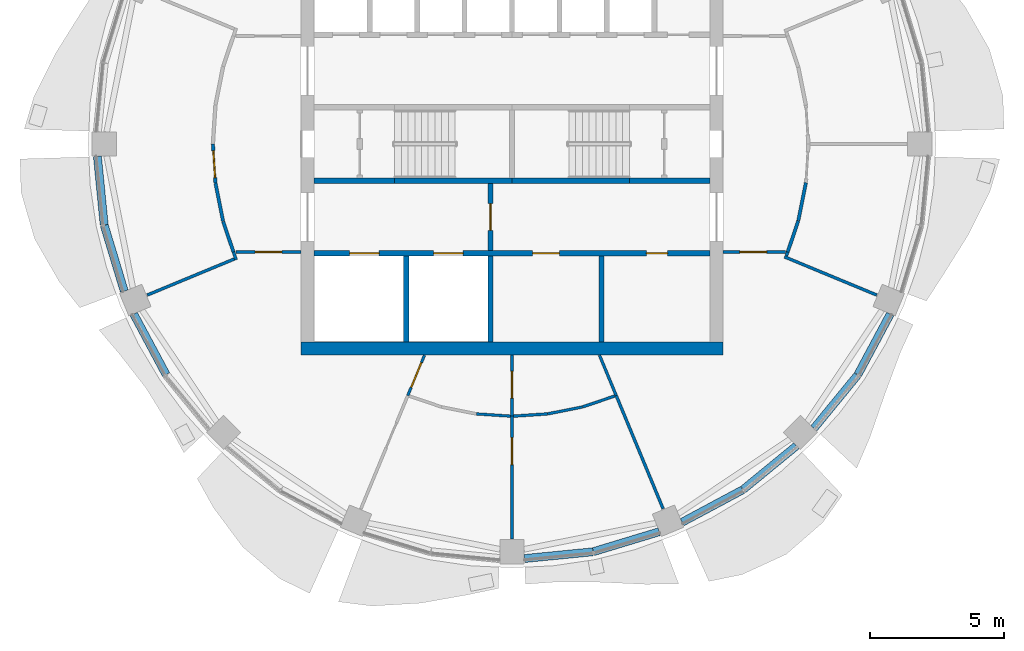
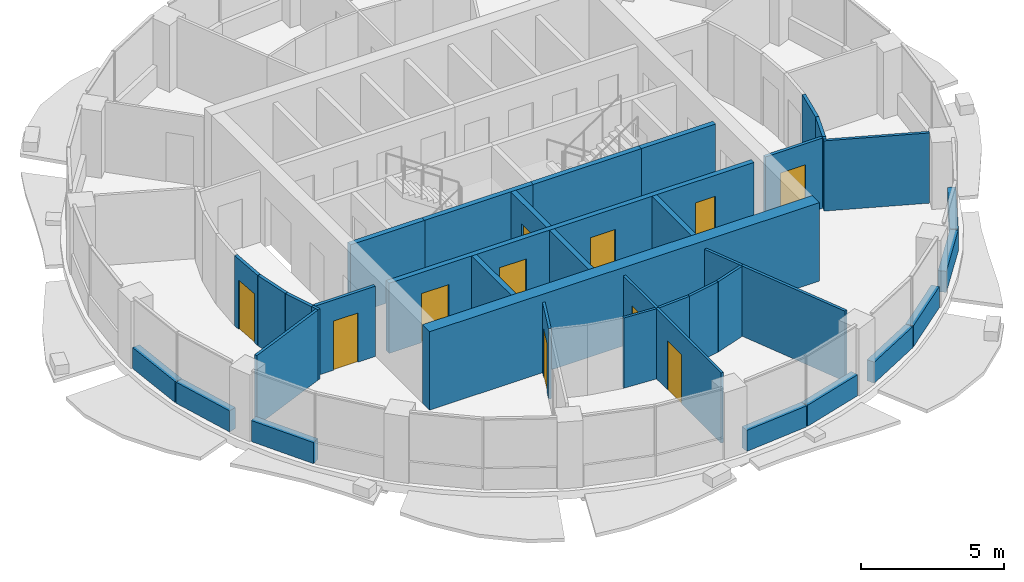
# One storey, part 7 of 14: 39 walls, 11 doors, 11 openings.
"""IFC4 building model written with IfcOpenShell, lengths in metres."""

from ifc_helpers import new_model, si_unit, direction, frame, frame_2d, origin, place, context, subcontext, project, spatial, rectangle, extrude, material, layer, layer_set, type_object, element, fill, save


model = new_model("IFC4")

# Units and contexts
model_context = context("Model", 3, precision=1e-05, world=origin(), true_north=direction((0.0, 1.0)))
body_context = subcontext(model_context, "Body", "Model", "MODEL_VIEW")
ifc_project = project(units=[si_unit("LENGTHUNIT", "METRE"), si_unit("AREAUNIT", "SQUARE_METRE"), si_unit("VOLUMEUNIT", "CUBIC_METRE"), si_unit("PLANEANGLEUNIT", "RADIAN"), si_unit("MASSUNIT", "GRAM", prefix="KILO")], contexts=[model_context])

# Site, building, storey
site_placement = place(None, origin())
site = spatial("IfcSite", under=ifc_project, at=site_placement, CompositionType="ELEMENT")
building_placement = place(site_placement, origin())
building = spatial("IfcBuilding", under=site, at=building_placement, Name="Polderwave Tower", CompositionType="ELEMENT")
storey_placement = place(building_placement, frame((0.0, 0.0, 221.14990234375)))
storey = spatial("IfcBuildingStorey", under=building, at=storey_placement, Name="L60", CompositionType="ELEMENT", Elevation=221.14990234375)

# Walls
ifc_material_1 = material(Name="Concrete C60/75", Category="concrete")
ifc_layer_1 = layer(ifc_material_1, 0.5)
ifc_layer_set_1 = layer_set([ifc_layer_1], Name="CORE WALL 500 C60/75")
wall_type_1 = type_object("IfcWallType", Name="CORE WALL 500 C60/75", PredefinedType="SHEAR", material=ifc_layer_set_1)
wall_1_placement = place(storey_placement, frame((-7.8740234375, -7.6240234375, 0.0), z_axis=(0.0, 0.0, 1.0), x_axis=(1.0, 0.0, 0.0)))
element("IfcWall", 1, at=wall_1_placement, inside=storey, type_object=wall_type_1, Name="ST-CORE-L60-S", PredefinedType="SHEAR", context=body_context, shape_type="SweptSolid", body=[
    extrude(rectangle(XDim=15.748046875, YDim=0.5, at=frame_2d((7.8740234375, 0.0))), origin(), (0.0, 0.0, 1.0), 3.35009765625),
])
ifc_material_2 = material(Name="Concrete C50/60 (board-marked)", Category="concrete")
ifc_layer_2 = layer(ifc_material_2, 0.300048828125)
ifc_layer_set_2 = layer_set([ifc_layer_2], Name="Concrete spandrel upstand C50/60")
wall_type_2 = type_object("IfcWallType", Name="Concrete spandrel upstand C50/60", PredefinedType="SOLIDWALL", material=ifc_layer_set_2)
wall_2_placement = place(storey_placement, frame((-15.45458984375, -0.4638671875, 0.0), z_axis=(0.0, 0.0, 1.0), x_axis=(0.09813315545, -0.995173293352, 0.0)))
element("IfcWall", 2, at=wall_2_placement, inside=storey, type_object=wall_type_2, Name="Spandrel L60 9a", PredefinedType="SOLIDWALL", context=body_context, shape_type="SweptSolid", body=[
    extrude(rectangle(XDim=2.5576171875, YDim=0.300048828125, at=frame_2d((1.27880859375, 0.0))), origin(), (0.0, 0.0, 1.0), 0.900146484375),
])
wall_3_placement = place(storey_placement, frame((-15.197509765625, -3.038330078125, 0.0), z_axis=(0.0, 0.0, 1.0), x_axis=(0.290219358397, -0.956960147557, 0.0)))
element("IfcWall", 3, at=wall_3_placement, inside=storey, type_object=wall_type_2, Name="Spandrel L60 9b", PredefinedType="SOLIDWALL", context=body_context, shape_type="SweptSolid", body=[
    extrude(rectangle(XDim=2.557373046875, YDim=0.300048828125, at=frame_2d((1.27880859375, 0.0))), origin(), (0.0, 0.0, 1.0), 0.900146484375),
])
wall_4_placement = place(storey_placement, frame((-14.099853515625, -6.34326171875, 0.0), z_axis=(0.0, 0.0, 1.0), x_axis=(0.471603904468, -0.881810499649, 0.0)))
element("IfcWall", 4, at=wall_4_placement, inside=storey, type_object=wall_type_2, Name="Spandrel L60 10a", PredefinedType="SOLIDWALL", context=body_context, shape_type="SweptSolid", body=[
    extrude(rectangle(XDim=2.556884765625, YDim=0.300048828125, at=frame_2d((1.2783203125, 0.0))), origin(), (0.0, 0.0, 1.0), 0.900146484375),
])
wall_5_placement = place(storey_placement, frame((0.4638671875, -15.45458984375, 0.0), z_axis=(0.0, 0.0, 1.0), x_axis=(0.995173293352, 0.09813315545, 0.0)))
element("IfcWall", 5, at=wall_5_placement, inside=storey, type_object=wall_type_2, Name="Spandrel L60 13a", PredefinedType="SOLIDWALL", context=body_context, shape_type="SweptSolid", body=[
    extrude(rectangle(XDim=2.5576171875, YDim=0.300048828125, at=frame_2d((1.27880859375, 0.0))), origin(), (0.0, 0.0, 1.0), 0.900146484375),
])
wall_6_placement = place(storey_placement, frame((3.038330078125, -15.197509765625, 0.0), z_axis=(0.0, 0.0, 1.0), x_axis=(0.956960147557, 0.290219358397, 0.0)))
element("IfcWall", 6, at=wall_6_placement, inside=storey, type_object=wall_type_2, Name="Spandrel L60 13b", PredefinedType="SOLIDWALL", context=body_context, shape_type="SweptSolid", body=[
    extrude(rectangle(XDim=2.557373046875, YDim=0.300048828125, at=frame_2d((1.27880859375, 0.0))), origin(), (0.0, 0.0, 1.0), 0.900146484375),
])
wall_7_placement = place(storey_placement, frame((6.34326171875, -14.099853515625, 0.0), z_axis=(0.0, 0.0, 1.0), x_axis=(0.881810499649, 0.471603904468, 0.0)))
element("IfcWall", 7, at=wall_7_placement, inside=storey, type_object=wall_type_2, Name="Spandrel L60 14a", PredefinedType="SOLIDWALL", context=body_context, shape_type="SweptSolid", body=[
    extrude(rectangle(XDim=2.556884765625, YDim=0.300048828125, at=frame_2d((1.2783203125, 0.0))), origin(), (0.0, 0.0, 1.0), 0.900146484375),
])
for number, where, z_axis, x_axis, name in (
    (8, (8.62255859375, -12.87744140625, 0.0), (0.0, 0.0, 1.0), (0.773259366149, 0.634089861662, 0.0), "Spandrel L60 14b"),
    (9, (11.255615234375, -10.600341796875, 0.0), (0.0, 0.0, 1.0), (0.634089861662, 0.773259366149, 0.0), "Spandrel L60 15a"),
):
    element("IfcWall", number, at=place(storey_placement, frame(where, z_axis=z_axis, x_axis=x_axis)), inside=storey, type_object=wall_type_2, Name=name, PredefinedType="SOLIDWALL", context=body_context, shape_type="SweptSolid", body=[
        extrude(rectangle(XDim=2.5576171875, YDim=0.300048828125, at=frame_2d((1.27880859375, 0.0))), origin(), (0.0, 0.0, 1.0), 0.900146484375),
    ])
wall_8_placement = place(storey_placement, frame((12.89404296875, -8.597900390625, 0.0), z_axis=(0.0, 0.0, 1.0), x_axis=(0.471603904468, 0.881810499649, 0.0)))
element("IfcWall", 10, at=wall_8_placement, inside=storey, type_object=wall_type_2, Name="Spandrel L60 15b", PredefinedType="SOLIDWALL", context=body_context, shape_type="SweptSolid", body=[
    extrude(rectangle(XDim=2.556884765625, YDim=0.300048828125, at=frame_2d((1.2783203125, 0.0))), origin(), (0.0, 0.0, 1.0), 0.900146484375),
])

# Wall, opening, door
ifc_material_3 = material(Name="Gypsum board partition")
ifc_layer_3 = layer(ifc_material_3, 0.199951171875)
ifc_layer_set_3 = layer_set([ifc_layer_3], Name="Core room partition 200")
wall_type_3 = type_object("IfcWallType", Name="Core room partition 200", PredefinedType="PARTITIONING", material=ifc_layer_set_3)
wall_9_placement = place(storey_placement, frame((-0.800048828125, -3.97412109375, 0.0), z_axis=(0.0, 0.0, 1.0), x_axis=(0.0, 1.0, 0.0)))
wall_9 = element("IfcWall", 11, at=wall_9_placement, inside=storey, type_object=wall_type_3, Name="L60 fire-fighting lobby wall", PredefinedType="PARTITIONING", context=body_context, shape_type="SweptSolid", body=[
    extrude(rectangle(XDim=2.4990234375, YDim=0.199951171875, at=frame_2d((1.24951171875, 0.0))), origin(), (0.0, 0.0, 1.0), 3.0),
])
opening_1_placement = place(wall_9_placement, frame((0.74951171875, 0.0, 0.0)))
opening_1 = element("IfcOpeningElement", 12, at=opening_1_placement, cuts=wall_9, Name="Opening L60-D14", PredefinedType="OPENING", context=body_context, shape_type="SweptSolid", body=[
    extrude(rectangle(XDim=1.0, YDim=2.10009765625, at=frame_2d((0.5, 1.050048828125))), frame((0.0, 0.10986328125, 0.0), z_axis=(0.0, -1.0, 0.0), x_axis=(1.0, 0.0, 0.0)), (0.0, 0.0, 1.0), 0.219970703125),
])
ifc_material_4 = material(Name="Steel fire door", Category="steel")
door_type_1 = type_object("IfcDoorType", Name="Lobby fire door 1000", OperationType="NOTDEFINED", PredefinedType="DOOR", material=ifc_material_4)
door_1_placement = place(opening_1_placement, frame((1.0, 0.0, 0.0), z_axis=(0.0, 0.0, 1.0), x_axis=(-1.0, 0.0, 0.0)))
door_1 = element("IfcDoor", 13, at=door_1_placement, inside=storey, type_object=door_type_1, Name="Fire-fighting lobby door", OperationType="SINGLE_SWING_LEFT", OverallHeight=2.10009765625, OverallWidth=1.0, PredefinedType="DOOR", context=body_context, shape_type="SweptSolid", body=[
    extrude(rectangle(XDim=1.0, YDim=2.10009765625, at=frame_2d((0.5, 1.050048828125))), frame((0.0, 0.02490234375, 0.0), z_axis=(0.0, -1.0, 0.0), x_axis=(1.0, 0.0, 0.0)), (0.0, 0.0, 1.0), 0.050048828125),
])
fill(opening_1, door_1)

# Wall
wall_10_placement = place(storey_placement, frame((3.3369140625, -7.3740234375, 0.0), z_axis=(0.0, 0.0, 1.0), x_axis=(0.0, 1.0, 0.0)))
element("IfcWall", 14, at=wall_10_placement, inside=storey, type_object=wall_type_3, Name="L60 room partition S1", PredefinedType="PARTITIONING", context=body_context, shape_type="SweptSolid", body=[
    extrude(rectangle(XDim=3.199951171875, YDim=0.199951171875, at=frame_2d((1.60009765625, 0.0))), origin(), (0.0, 0.0, 1.0), 3.0),
])

# Wall, openings, doors
ifc_material_5 = material(Name="Concrete C50/60", Category="concrete")
ifc_layer_4 = layer(ifc_material_5, 0.199951171875)
ifc_layer_set_4 = layer_set([ifc_layer_4], Name="Core web wall 200")
wall_type_4 = type_object("IfcWallType", Name="Core web wall 200", PredefinedType="SHEAR", material=ifc_layer_set_4)
wall_11_placement = place(storey_placement, frame((-7.3740234375, -4.073974609375, 0.0), z_axis=(0.0, 0.0, 1.0), x_axis=(1.0, 0.0, 0.0)))
wall_11 = element("IfcWall", 15, at=wall_11_placement, inside=storey, type_object=wall_type_4, Name="L60 south front wall", PredefinedType="SHEAR", context=body_context, shape_type="SweptSolid", body=[
    extrude(rectangle(XDim=14.748046875, YDim=0.199951171875, at=frame_2d((7.3740234375, 0.0))), origin(), (0.0, 0.0, 1.0), 3.0),
])
opening_2_placement = place(wall_11_placement, frame((1.318603515625, 0.0, 0.0)))
opening_2 = element("IfcOpeningElement", 16, at=opening_2_placement, cuts=wall_11, Name="Opening L60-D01", PredefinedType="OPENING", context=body_context, shape_type="SweptSolid", body=[
    extrude(rectangle(XDim=1.10009765625, YDim=2.10009765625, at=frame_2d((0.550048828125, 1.050048828125))), frame((0.0, 0.10986328125, 0.0), z_axis=(0.0, -1.0, 0.0), x_axis=(1.0, 0.0, 0.0)), (0.0, 0.0, 1.0), 0.219970703125),
])
opening_3_placement = place(wall_11_placement, frame((4.45556640625, 0.0, 0.0)))
opening_3 = element("IfcOpeningElement", 17, at=opening_3_placement, cuts=wall_11, Name="Opening L60-D02", PredefinedType="OPENING", context=body_context, shape_type="SweptSolid", body=[
    extrude(rectangle(XDim=1.10009765625, YDim=2.10009765625, at=frame_2d((0.550048828125, 1.050048828125))), frame((0.0, 0.10986328125, 0.0), z_axis=(0.0, -1.0, 0.0), x_axis=(1.0, 0.0, 0.0)), (0.0, 0.0, 1.0), 0.219970703125),
])
opening_4_placement = place(wall_11_placement, frame((8.142578125, 0.0, 0.0)))
opening_4 = element("IfcOpeningElement", 18, at=opening_4_placement, cuts=wall_11, Name="Opening L60-D15", PredefinedType="OPENING", context=body_context, shape_type="SweptSolid", body=[
    extrude(rectangle(XDim=1.0, YDim=2.10009765625, at=frame_2d((0.5, 1.050048828125))), frame((0.0, 0.10986328125, 0.0), z_axis=(0.0, -1.0, 0.0), x_axis=(1.0, 0.0, 0.0)), (0.0, 0.0, 1.0), 0.219970703125),
])
opening_5_placement = place(wall_11_placement, frame((12.37939453125, 0.0, 0.0)))
opening_5 = element("IfcOpeningElement", 19, at=opening_5_placement, cuts=wall_11, Name="Opening L60-D16", PredefinedType="OPENING", context=body_context, shape_type="SweptSolid", body=[
    extrude(rectangle(XDim=0.800048828125, YDim=2.10009765625, at=frame_2d((0.39990234375, 1.050048828125))), frame((0.0, 0.10986328125, 0.0), z_axis=(0.0, -1.0, 0.0), x_axis=(1.0, 0.0, 0.0)), (0.0, 0.0, 1.0), 0.219970703125),
])
ifc_material_6 = material(Name="Stainless steel", Category="steel")
door_type_2 = type_object("IfcDoorType", Name="Fire-fighting lift landing door 1100", OperationType="DOUBLE_DOOR_SLIDING", PredefinedType="DOOR", material=ifc_material_6)
door_2_placement = place(opening_2_placement, origin())
door_2 = element("IfcDoor", 20, at=door_2_placement, inside=storey, type_object=door_type_2, Name="Fire-fighting lift FF1 landing door", OperationType="DOUBLE_DOOR_SLIDING", OverallHeight=2.10009765625, OverallWidth=1.10009765625, PredefinedType="DOOR", context=body_context, shape_type="SweptSolid", body=[
    extrude(rectangle(XDim=1.10009765625, YDim=2.10009765625, at=frame_2d((0.550048828125, 1.050048828125))), frame((0.0, 0.02490234375, 0.0), z_axis=(0.0, -1.0, 0.0), x_axis=(1.0, 0.0, 0.0)), (0.0, 0.0, 1.0), 0.050048828125),
])
fill(opening_2, door_2)
door_3_placement = place(opening_3_placement, origin())
door_3 = element("IfcDoor", 21, at=door_3_placement, inside=storey, type_object=door_type_2, Name="Fire-fighting lift FF2 landing door", OperationType="DOUBLE_DOOR_SLIDING", OverallHeight=2.10009765625, OverallWidth=1.10009765625, PredefinedType="DOOR", context=body_context, shape_type="SweptSolid", body=[
    extrude(rectangle(XDim=1.10009765625, YDim=2.10009765625, at=frame_2d((0.550048828125, 1.050048828125))), frame((0.0, 0.02490234375, 0.0), z_axis=(0.0, -1.0, 0.0), x_axis=(1.0, 0.0, 0.0)), (0.0, 0.0, 1.0), 0.050048828125),
])
fill(opening_3, door_3)
door_type_3 = type_object("IfcDoorType", Name="Riser door 800", OperationType="NOTDEFINED", PredefinedType="DOOR", material=ifc_material_4)
door_4_placement = place(opening_5_placement, origin())
door_4 = element("IfcDoor", 22, at=door_4_placement, inside=storey, type_object=door_type_3, Name="Switch room door", OperationType="SINGLE_SWING_RIGHT", OverallHeight=2.10009765625, OverallWidth=0.800048828125, PredefinedType="DOOR", context=body_context, shape_type="SweptSolid", body=[
    extrude(rectangle(XDim=0.800048828125, YDim=2.10009765625, at=frame_2d((0.39990234375, 1.050048828125))), frame((0.0, 0.02490234375, 0.0), z_axis=(0.0, -1.0, 0.0), x_axis=(1.0, 0.0, 0.0)), (0.0, 0.0, 1.0), 0.050048828125),
])
fill(opening_5, door_4)
ifc_material_7 = material(Name="Timber door leaf", Category="wood")
door_type_4 = type_object("IfcDoorType", Name="Room door 1000", OperationType="NOTDEFINED", PredefinedType="DOOR", material=ifc_material_7)
door_5_placement = place(opening_4_placement, origin())
door_5 = element("IfcDoor", 23, at=door_5_placement, inside=storey, type_object=door_type_4, Name="Plant room door", OperationType="SINGLE_SWING_RIGHT", OverallHeight=2.10009765625, OverallWidth=1.0, PredefinedType="DOOR", context=body_context, shape_type="SweptSolid", body=[
    extrude(rectangle(XDim=1.0, YDim=2.10009765625, at=frame_2d((0.5, 1.050048828125))), frame((0.0, 0.02490234375, 0.0), z_axis=(0.0, -1.0, 0.0), x_axis=(1.0, 0.0, 0.0)), (0.0, 0.0, 1.0), 0.050048828125),
])
fill(opening_4, door_5)

# Walls
wall_12_placement = place(storey_placement, frame((-7.3740234375, -1.375, 0.0), z_axis=(0.0, 0.0, 1.0), x_axis=(1.0, 0.0, 0.0)))
element("IfcWall", 24, at=wall_12_placement, inside=storey, type_object=wall_type_4, Name="L60 south stair wall 1", PredefinedType="SHEAR", context=body_context, shape_type="SweptSolid", body=[
    extrude(rectangle(XDim=3.0, YDim=0.199951171875, at=frame_2d((1.5, 0.0))), origin(), (0.0, 0.0, 1.0), 3.0),
])
for number, where, z_axis, x_axis, name in (
    (25, (-4.3740234375, -1.375, 0.0), (0.0, 0.0, 1.0), (1.0, 0.0, 0.0), "L60 south stair wall 2"),
    (26, (0.0, -1.375, 0.0), (0.0, 0.0, 1.0), (1.0, 0.0, 0.0), "L60 south stair wall 3"),
):
    element("IfcWall", number, at=place(storey_placement, frame(where, z_axis=z_axis, x_axis=x_axis)), inside=storey, type_object=wall_type_4, Name=name, PredefinedType="SHEAR", context=body_context, shape_type="SweptSolid", body=[
        extrude(rectangle(XDim=4.3740234375, YDim=0.199951171875, at=frame_2d((2.18701171875, 0.0))), origin(), (0.0, 0.0, 1.0), 3.0),
    ])
wall_13_placement = place(storey_placement, frame((4.3740234375, -1.375, 0.0), z_axis=(0.0, 0.0, 1.0), x_axis=(1.0, 0.0, 0.0)))
element("IfcWall", 27, at=wall_13_placement, inside=storey, type_object=wall_type_4, Name="L60 south stair wall 4", PredefinedType="SHEAR", context=body_context, shape_type="SweptSolid", body=[
    extrude(rectangle(XDim=3.0, YDim=0.199951171875, at=frame_2d((1.5, 0.0))), origin(), (0.0, 0.0, 1.0), 3.0),
])

# Wall, opening, door
ifc_material_8 = material(Name="Fire-resisting board on steel studs", Category="steel")
ifc_layer_5 = layer(ifc_material_8, 0.125)
ifc_layer_set_5 = layer_set([ifc_layer_5], Name="Corridor wall 125 mm EI 60")
wall_type_5 = type_object("IfcWallType", Name="Corridor wall 125 mm EI 60", PredefinedType="PARTITIONING", material=ifc_layer_set_5)
wall_14_placement = place(storey_placement, frame((10.19091796875, -4.0244140625, 0.0), z_axis=(0.0, 0.0, 1.0), x_axis=(-1.0, 0.0, 0.0)))
wall_14 = element("IfcWall", 28, at=wall_14_placement, inside=storey, type_object=wall_type_5, Name="IN-L60-W005", PredefinedType="PARTITIONING", context=body_context, shape_type="SweptSolid", body=[
    extrude(rectangle(XDim=2.31689453125, YDim=0.125, at=frame_2d((1.158447265625, 0.0))), origin(), (0.0, 0.0, 1.0), 3.0),
])
opening_6_placement = place(wall_14_placement, frame((0.699951171875, 0.0, 0.0)))
opening_6 = element("IfcOpeningElement", 29, at=opening_6_placement, cuts=wall_14, Name="Opening L60-D52", PredefinedType="OPENING", context=body_context, shape_type="SweptSolid", body=[
    extrude(rectangle(XDim=1.0, YDim=2.10009765625, at=frame_2d((0.5, 1.050048828125))), frame((0.0, 0.072509765625, 0.0), z_axis=(0.0, -1.0, 0.0), x_axis=(1.0, 0.0, 0.0)), (0.0, 0.0, 1.0), 0.14501953125),
])
ifc_material_9 = material(Name="Timber fire door leaf", Category="wood")
door_type_5 = type_object("IfcDoorType", Name="Fire door FD30S 1000 x 2100", OperationType="NOTDEFINED", PredefinedType="DOOR", material=ifc_material_9)
door_6_placement = place(opening_6_placement, origin())
door_6 = element("IfcDoor", 30, at=door_6_placement, inside=storey, type_object=door_type_5, Name="Door L60-D52", OperationType="SINGLE_SWING_RIGHT", OverallHeight=2.10009765625, OverallWidth=1.0, PredefinedType="DOOR", context=body_context, shape_type="SweptSolid", body=[
    extrude(rectangle(XDim=1.0, YDim=2.10009765625, at=frame_2d((0.5, 1.050048828125))), frame((0.0, 0.02490234375, 0.0), z_axis=(0.0, -1.0, 0.0), x_axis=(1.0, 0.0, 0.0)), (0.0, 0.0, 1.0), 0.050048828125),
])
fill(opening_6, door_6)

# Walls
wall_15_placement = place(storey_placement, frame((10.672119140625, -2.864013671875, 0.0), z_axis=(0.0, 0.0, 1.0), x_axis=(-0.321363343769, -0.946955965862, 0.0)))
element("IfcWall", 31, at=wall_15_placement, inside=storey, type_object=wall_type_5, Name="IN-L60-W006", PredefinedType="PARTITIONING", context=body_context, shape_type="SweptSolid", body=[
    extrude(rectangle(XDim=1.225341796875, YDim=0.125, at=frame_2d((0.61279296875, 0.0))), origin(), (0.0, 0.0, 1.0), 3.0),
])
wall_16_placement = place(storey_placement, frame((10.95458984375, -1.4462890625, 0.0), z_axis=(0.0, 0.0, 1.0), x_axis=(-0.195005351681, -0.980802178228, 0.0)))
element("IfcWall", 32, at=wall_16_placement, inside=storey, type_object=wall_type_5, Name="IN-L60-W007", PredefinedType="PARTITIONING", context=body_context, shape_type="SweptSolid", body=[
    extrude(rectangle(XDim=1.437255859375, YDim=0.125, at=frame_2d((0.71875, 0.0))), origin(), (0.0, 0.0, 1.0), 3.0),
])

# Wall, opening, door
wall_17_placement = place(storey_placement, frame((-11.054931640625, -1.451416015625, 0.0), z_axis=(0.0, 0.0, 1.0), x_axis=(-0.065312343013, 0.997864869534, 0.0)))
wall_17 = element("IfcWall", 33, at=wall_17_placement, inside=storey, type_object=wall_type_5, Name="IN-L60-W011", PredefinedType="PARTITIONING", context=body_context, shape_type="SweptSolid", body=[
    extrude(rectangle(XDim=1.450439453125, YDim=0.125, at=frame_2d((0.72509765625, 0.0))), origin(), (0.0, 0.0, 1.0), 3.0),
])
opening_7_placement = place(wall_17_placement, frame((0.199951171875, 0.0, 0.0)))
opening_7 = element("IfcOpeningElement", 34, at=opening_7_placement, cuts=wall_17, Name="Opening L60-D55", PredefinedType="OPENING", context=body_context, shape_type="SweptSolid", body=[
    extrude(rectangle(XDim=1.0, YDim=2.10009765625, at=frame_2d((0.5, 1.050048828125))), frame((0.0, 0.072509765625, 0.0), z_axis=(0.0, -1.0, 0.0), x_axis=(1.0, 0.0, 0.0)), (0.0, 0.0, 1.0), 0.14501953125),
])
door_7_placement = place(opening_7_placement, origin())
door_7 = element("IfcDoor", 35, at=door_7_placement, inside=storey, type_object=door_type_5, Name="Door L60-D55", OperationType="SINGLE_SWING_LEFT", OverallHeight=2.10009765625, OverallWidth=1.0, PredefinedType="DOOR", context=body_context, shape_type="SweptSolid", body=[
    extrude(rectangle(XDim=1.0, YDim=2.10009765625, at=frame_2d((0.5, 1.050048828125))), frame((0.0, 0.02490234375, 0.0), z_axis=(0.0, -1.0, 0.0), x_axis=(1.0, 0.0, 0.0)), (0.0, 0.0, 1.0), 0.050048828125),
])
fill(opening_7, door_7)

# Walls
wall_18_placement = place(storey_placement, frame((-10.77099609375, -2.8818359375, 0.0), z_axis=(0.0, 0.0, 1.0), x_axis=(-0.194950489496, 0.980813084459, 0.0)))
element("IfcWall", 36, at=wall_18_placement, inside=storey, type_object=wall_type_5, Name="IN-L60-W013", PredefinedType="PARTITIONING", context=body_context, shape_type="SweptSolid", body=[
    extrude(rectangle(XDim=1.4501953125, YDim=0.125, at=frame_2d((0.72509765625, 0.0))), origin(), (0.0, 0.0, 1.0), 3.0),
])
wall_19_placement = place(storey_placement, frame((-10.383544921875, -4.0244140625, 0.0), z_axis=(0.0, 0.0, 1.0), x_axis=(-0.321479033524, 0.946916696972, 0.0)))
element("IfcWall", 37, at=wall_19_placement, inside=storey, type_object=wall_type_5, Name="IN-L60-W015", PredefinedType="PARTITIONING", context=body_context, shape_type="SweptSolid", body=[
    extrude(rectangle(XDim=1.198486328125, YDim=0.125, at=frame_2d((0.59912109375, 0.0))), origin(), (0.0, 0.0, 1.0), 3.0),
])

# Wall, opening, door
wall_20_placement = place(storey_placement, frame((-7.8740234375, -4.0244140625, 0.0), z_axis=(0.0, 0.0, 1.0), x_axis=(-1.0, 0.0, 0.0)))
wall_20 = element("IfcWall", 38, at=wall_20_placement, inside=storey, type_object=wall_type_5, Name="IN-L60-W016", PredefinedType="PARTITIONING", context=body_context, shape_type="SweptSolid", body=[
    extrude(rectangle(XDim=2.42236328125, YDim=0.125, at=frame_2d((1.211181640625, 0.0))), origin(), (0.0, 0.0, 1.0), 3.0),
])
opening_8_placement = place(wall_20_placement, frame((0.699951171875, 0.0, 0.0)))
opening_8 = element("IfcOpeningElement", 39, at=opening_8_placement, cuts=wall_20, Name="Opening L60-D56", PredefinedType="OPENING", context=body_context, shape_type="SweptSolid", body=[
    extrude(rectangle(XDim=1.0, YDim=2.10009765625, at=frame_2d((0.5, 1.050048828125))), frame((0.0, 0.072509765625, 0.0), z_axis=(0.0, -1.0, 0.0), x_axis=(1.0, 0.0, 0.0)), (0.0, 0.0, 1.0), 0.14501953125),
])
door_8_placement = place(opening_8_placement, origin())
door_8 = element("IfcDoor", 40, at=door_8_placement, inside=storey, type_object=door_type_5, Name="Door L60-D56", OperationType="SINGLE_SWING_LEFT", OverallHeight=2.10009765625, OverallWidth=1.0, PredefinedType="DOOR", context=body_context, shape_type="SweptSolid", body=[
    extrude(rectangle(XDim=1.0, YDim=2.10009765625, at=frame_2d((0.5, 1.050048828125))), frame((0.0, 0.02490234375, 0.0), z_axis=(0.0, -1.0, 0.0), x_axis=(1.0, 0.0, 0.0)), (0.0, 0.0, 1.0), 0.050048828125),
])
fill(opening_8, door_8)

ifc_material_10 = material(Name="Plasterboard on steel studs", Category="steel")
ifc_layer_6 = layer(ifc_material_10, 0.10009765625)
ifc_layer_set_6 = layer_set([ifc_layer_6], Name="Partition 100 mm plasterboard on steel studs")
wall_type_6 = type_object("IfcWallType", Name="Partition 100 mm plasterboard on steel studs", PredefinedType="PARTITIONING", material=ifc_layer_set_6)
wall_21_placement = place(storey_placement, frame((-3.261474609375, -7.8740234375, 0.0), z_axis=(0.0, 0.0, 1.0), x_axis=(-0.382718376354, -0.923865057463, 0.0)))
wall_21 = element("IfcWall", 41, at=wall_21_placement, inside=storey, type_object=wall_type_6, Name="IN-L60-W038", PredefinedType="PARTITIONING", context=body_context, shape_type="SweptSolid", body=[
    extrude(rectangle(XDim=1.627197265625, YDim=0.10009765625, at=frame_2d((0.8134765625, 0.0))), origin(), (0.0, 0.0, 1.0), 3.0),
])
opening_9_placement = place(wall_21_placement, frame((0.300048828125, 0.0, 0.0)))
opening_9 = element("IfcOpeningElement", 42, at=opening_9_placement, cuts=wall_21, Name="Opening L60-D63", PredefinedType="OPENING", context=body_context, shape_type="SweptSolid", body=[
    extrude(rectangle(XDim=1.0, YDim=2.10009765625, at=frame_2d((0.5, 1.050048828125))), frame((0.0, 0.06005859375, 0.0), z_axis=(0.0, -1.0, 0.0), x_axis=(1.0, 0.0, 0.0)), (0.0, 0.0, 1.0), 0.1201171875),
])
ifc_material_11 = material(Name="Timber veneer door leaf", Category="wood")
door_type_6 = type_object("IfcDoorType", Name="Single door 1000 x 2100", OperationType="NOTDEFINED", PredefinedType="DOOR", material=ifc_material_11)
door_9_placement = place(opening_9_placement, origin())
door_9 = element("IfcDoor", 43, at=door_9_placement, inside=storey, type_object=door_type_6, Name="Door L60-D63", OperationType="SINGLE_SWING_LEFT", OverallHeight=2.10009765625, OverallWidth=1.0, PredefinedType="DOOR", context=body_context, shape_type="SweptSolid", body=[
    extrude(rectangle(XDim=1.0, YDim=2.10009765625, at=frame_2d((0.5, 1.050048828125))), frame((0.0, 0.02490234375, 0.0), z_axis=(0.0, -1.0, 0.0), x_axis=(1.0, 0.0, 0.0)), (0.0, 0.0, 1.0), 0.050048828125),
])
fill(opening_9, door_9)

# Wall
wall_22_placement = place(storey_placement, frame((-0.055908203125, -10.146240234375, 0.0), z_axis=(0.0, 0.0, 1.0), x_axis=(-0.997868677089, 0.065254143814, 0.0)))
element("IfcWall", 44, at=wall_22_placement, inside=storey, type_object=wall_type_6, Name="IN-L60-W042", PredefinedType="PARTITIONING", context=body_context, shape_type="SweptSolid", body=[
    extrude(rectangle(XDim=1.268310546875, YDim=0.10009765625, at=frame_2d((0.63427734375, 0.0))), origin(), (0.0, 0.0, 1.0), 3.0),
])

# Wall, opening, door
wall_23_placement = place(storey_placement, frame((0.0, -10.14990234375, 0.0), z_axis=(0.0, 0.0, 1.0), x_axis=(0.0, -1.0, 0.0)))
wall_23 = element("IfcWall", 45, at=wall_23_placement, inside=storey, type_object=wall_type_6, Name="IN-L60-W044", PredefinedType="PARTITIONING", context=body_context, shape_type="SweptSolid", body=[
    extrude(rectangle(XDim=4.570068359375, YDim=0.10009765625, at=frame_2d((2.28515625, 0.0))), origin(), (0.0, 0.0, 1.0), 3.0),
])
opening_10_placement = place(wall_23_placement, frame((0.800048828125, 0.0, 0.0)))
opening_10 = element("IfcOpeningElement", 46, at=opening_10_placement, cuts=wall_23, Name="Opening L60-D66", PredefinedType="OPENING", context=body_context, shape_type="SweptSolid", body=[
    extrude(rectangle(XDim=1.0, YDim=2.10009765625, at=frame_2d((0.5, 1.050048828125))), frame((0.0, 0.06005859375, 0.0), z_axis=(0.0, -1.0, 0.0), x_axis=(1.0, 0.0, 0.0)), (0.0, 0.0, 1.0), 0.1201171875),
])
door_10_placement = place(opening_10_placement, origin())
door_10 = element("IfcDoor", 47, at=door_10_placement, inside=storey, type_object=door_type_6, Name="Door L60-D66", OperationType="SINGLE_SWING_LEFT", OverallHeight=2.10009765625, OverallWidth=1.0, PredefinedType="DOOR", context=body_context, shape_type="SweptSolid", body=[
    extrude(rectangle(XDim=1.0, YDim=2.10009765625, at=frame_2d((0.5, 1.050048828125))), frame((0.0, 0.02490234375, 0.0), z_axis=(0.0, -1.0, 0.0), x_axis=(1.0, 0.0, 0.0)), (0.0, 0.0, 1.0), 0.050048828125),
])
fill(opening_10, door_10)

ifc_material_12 = material(Name="Moisture-resistant board on steel studs, tiled", Category="steel")
ifc_layer_7 = layer(ifc_material_12, 0.10498046875)
ifc_layer_set_7 = layer_set([ifc_layer_7], Name="Partition 105 mm wet room board and tile")
wall_type_7 = type_object("IfcWallType", Name="Partition 105 mm wet room board and tile", PredefinedType="PARTITIONING", material=ifc_layer_set_7)
wall_24_placement = place(storey_placement, frame((0.0, -7.8740234375, 0.0), z_axis=(0.0, 0.0, 1.0), x_axis=(0.0, -1.0, 0.0)))
wall_24 = element("IfcWall", 48, at=wall_24_placement, inside=storey, type_object=wall_type_7, Name="IN-L60-W043", PredefinedType="PARTITIONING", context=body_context, shape_type="SweptSolid", body=[
    extrude(rectangle(XDim=2.27587890625, YDim=0.10498046875, at=frame_2d((1.137939453125, 0.0))), origin(), (0.0, 0.0, 1.0), 3.0),
])
opening_11_placement = place(wall_24_placement, frame((0.60009765625, 0.0, 0.0)))
opening_11 = element("IfcOpeningElement", 49, at=opening_11_placement, cuts=wall_24, Name="Opening L60-D65", PredefinedType="OPENING", context=body_context, shape_type="SweptSolid", body=[
    extrude(rectangle(XDim=1.0, YDim=2.10009765625, at=frame_2d((0.5, 1.050048828125))), frame((0.0, 0.0625, 0.0), z_axis=(0.0, -1.0, 0.0), x_axis=(1.0, 0.0, 0.0)), (0.0, 0.0, 1.0), 0.125),
])
door_11_placement = place(opening_11_placement, origin())
door_11 = element("IfcDoor", 50, at=door_11_placement, inside=storey, type_object=door_type_6, Name="Door L60-D65", OperationType="SINGLE_SWING_LEFT", OverallHeight=2.10009765625, OverallWidth=1.0, PredefinedType="DOOR", context=body_context, shape_type="SweptSolid", body=[
    extrude(rectangle(XDim=1.0, YDim=2.10009765625, at=frame_2d((0.5, 1.050048828125))), frame((0.0, 0.02490234375, 0.0), z_axis=(0.0, -1.0, 0.0), x_axis=(1.0, 0.0, 0.0)), (0.0, 0.0, 1.0), 0.050048828125),
])
fill(opening_11, door_11)

# Walls
wall_25_placement = place(storey_placement, frame((1.3212890625, -10.0634765625, 0.0), z_axis=(0.0, 0.0, 1.0), x_axis=(-0.99786785721, -0.065266680223, 0.0)))
element("IfcWall", 51, at=wall_25_placement, inside=storey, type_object=wall_type_7, Name="IN-L60-W045", PredefinedType="PARTITIONING", context=body_context, shape_type="SweptSolid", body=[
    extrude(rectangle(XDim=1.26806640625, YDim=0.10498046875, at=frame_2d((0.634033203125, 0.0))), origin(), (0.0, 0.0, 1.0), 3.0),
])
wall_26_placement = place(storey_placement, frame((2.62353515625, -9.8046875, 0.0), z_axis=(0.0, 0.0, 1.0), x_axis=(-0.980765080918, -0.195191844223, 0.0)))
element("IfcWall", 52, at=wall_26_placement, inside=storey, type_object=wall_type_7, Name="IN-L60-W046", PredefinedType="PARTITIONING", context=body_context, shape_type="SweptSolid", body=[
    extrude(rectangle(XDim=1.32080078125, YDim=0.10498046875, at=frame_2d((0.660400390625, 0.0))), origin(), (0.0, 0.0, 1.0), 3.0),
])
wall_27_placement = place(storey_placement, frame((3.82861328125, -9.396240234375, 0.0), z_axis=(0.0, 0.0, 1.0), x_axis=(-0.946932566751, -0.321432285291, 0.0)))
element("IfcWall", 53, at=wall_27_placement, inside=storey, type_object=wall_type_7, Name="IN-L60-W047", PredefinedType="PARTITIONING", context=body_context, shape_type="SweptSolid", body=[
    extrude(rectangle(XDim=1.265380859375, YDim=0.10498046875, at=frame_2d((0.6328125, 0.0))), origin(), (0.0, 0.0, 1.0), 3.0),
])
wall_28_placement = place(storey_placement, frame((3.261474609375, -7.8740234375, 0.0), z_axis=(0.0, 0.0, 1.0), x_axis=(0.382718376354, -0.923865057463, 0.0)))
element("IfcWall", 54, at=wall_28_placement, inside=storey, type_object=wall_type_7, Name="IN-L60-W048", PredefinedType="PARTITIONING", context=body_context, shape_type="SweptSolid", body=[
    extrude(rectangle(XDim=1.627197265625, YDim=0.10498046875, at=frame_2d((0.8134765625, 0.0))), origin(), (0.0, 0.0, 1.0), 3.0),
])
ifc_material_13 = material(Name="Acoustic double plasterboard on steel studs", Category="steel")
ifc_layer_8 = layer(ifc_material_13, 0.110107421875)
ifc_layer_set_8 = layer_set([ifc_layer_8], Name="Partition 110 mm acoustic double board")
wall_type_8 = type_object("IfcWallType", Name="Partition 110 mm acoustic double board", PredefinedType="PARTITIONING", material=ifc_layer_set_8)
wall_29_placement = place(storey_placement, frame((-10.383544921875, -4.0244140625, 0.0), z_axis=(0.0, 0.0, 1.0), x_axis=(0.320931919594, -0.947102266382, 0.0)))
element("IfcWall", 55, at=wall_29_placement, inside=storey, type_object=wall_type_8, Name="IN-L60-W036", PredefinedType="PARTITIONING", context=body_context, shape_type="SweptSolid", body=[
    extrude(rectangle(XDim=0.31103515625, YDim=0.110107421875, at=frame_2d((0.155517578125, 0.0))), origin(), (0.0, 0.0, 1.0), 3.0),
])
wall_30_placement = place(storey_placement, frame((-10.355712890625, -4.289306640625, 0.0), z_axis=(0.0, 0.0, 1.0), x_axis=(-0.923871065891, -0.382703871955, 0.0)))
element("IfcWall", 56, at=wall_30_placement, inside=storey, type_object=wall_type_8, Name="IN-L60-W037", PredefinedType="PARTITIONING", context=body_context, shape_type="SweptSolid", body=[
    extrude(rectangle(XDim=3.51123046875, YDim=0.110107421875, at=frame_2d((1.755615234375, 0.0))), origin(), (0.0, 0.0, 1.0), 3.0),
])
wall_31_placement = place(storey_placement, frame((3.88427734375, -9.37744140625, 0.0), z_axis=(0.0, 0.0, 1.0), x_axis=(0.382664766489, -0.923887263949, 0.0)))
element("IfcWall", 57, at=wall_31_placement, inside=storey, type_object=wall_type_8, Name="IN-L60-W049", PredefinedType="PARTITIONING", context=body_context, shape_type="SweptSolid", body=[
    extrude(rectangle(XDim=4.570068359375, YDim=0.110107421875, at=frame_2d((2.28515625, 0.0))), origin(), (0.0, 0.0, 1.0), 3.0),
])
wall_32_placement = place(storey_placement, frame((10.158203125, -4.207763671875, 0.0), z_axis=(0.0, 0.0, 1.0), x_axis=(0.923897012701, -0.382641228728, 0.0)))
element("IfcWall", 58, at=wall_32_placement, inside=storey, type_object=wall_type_8, Name="IN-L60-W050", PredefinedType="PARTITIONING", context=body_context, shape_type="SweptSolid", body=[
    extrude(rectangle(XDim=3.724853515625, YDim=0.110107421875, at=frame_2d((1.8623046875, 0.0))), origin(), (0.0, 0.0, 1.0), 3.0),
])
wall_33_placement = place(storey_placement, frame((10.2783203125, -4.0244140625, 0.0), z_axis=(0.0, 0.0, 1.0), x_axis=(-0.321819116975, -0.94680117023, 0.0)))
element("IfcWall", 59, at=wall_33_placement, inside=storey, type_object=wall_type_8, Name="IN-L60-W051", PredefinedType="PARTITIONING", context=body_context, shape_type="SweptSolid", body=[
    extrude(rectangle(XDim=0.156982421875, YDim=0.110107421875, at=frame_2d((0.07861328125, 0.0))), origin(), (0.0, 0.0, 1.0), 3.0),
])
ifc_material_14 = material(Name="Gypsum shaft wall system")
ifc_layer_9 = layer(ifc_material_14, 0.199951171875)
ifc_layer_set_9 = layer_set([ifc_layer_9], Name="Shaft wall 200")
wall_type_9 = type_object("IfcWallType", Name="Shaft wall 200", PredefinedType="PARTITIONING", material=ifc_layer_set_9)
for number, where, z_axis, x_axis, name in (
    (60, (-3.93701171875, -7.3740234375, 0.0), (0.0, 0.0, 1.0), (0.0, 1.0, 0.0), "L60 fire-fighting shaft wall 1"),
    (61, (-0.800048828125, -7.3740234375, 0.0), (0.0, 0.0, 1.0), (0.0, 1.0, 0.0), "L60 fire-fighting shaft wall 2"),
):
    element("IfcWall", number, at=place(storey_placement, frame(where, z_axis=z_axis, x_axis=x_axis)), inside=storey, type_object=wall_type_9, Name=name, PredefinedType="PARTITIONING", context=body_context, shape_type="SweptSolid", body=[
        extrude(rectangle(XDim=3.199951171875, YDim=0.199951171875, at=frame_2d((1.60009765625, 0.0))), origin(), (0.0, 0.0, 1.0), 3.0),
    ])

save(model, "model.ifc")
